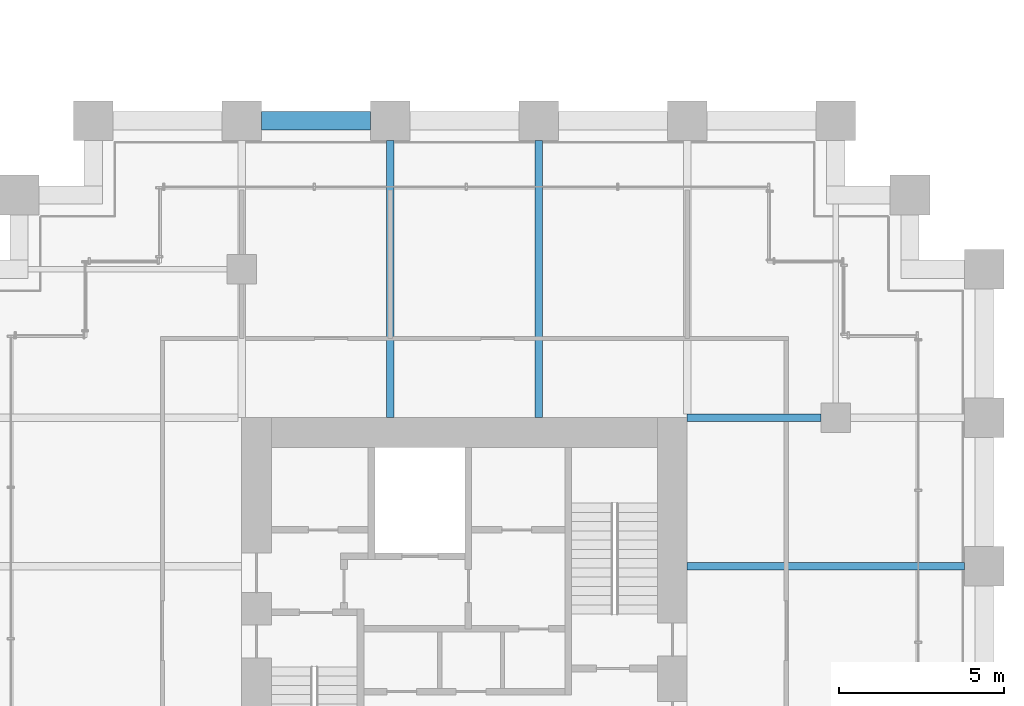
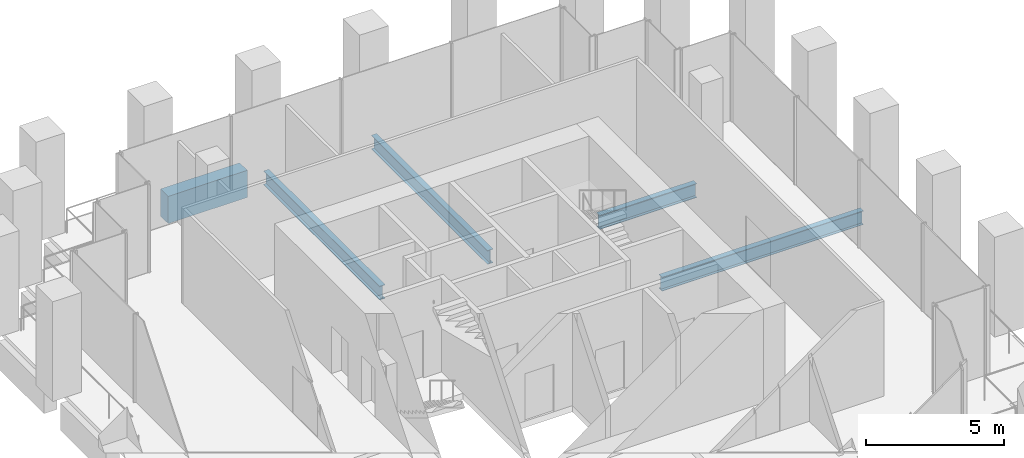
# One storey, part 24 of 36: 5 beams.
"""IFC4 building model written with IfcOpenShell, lengths in metres."""

from ifc_helpers import new_model, si_unit, direction, frame, origin, origin_2d, place, context, subcontext, project, spatial, rectangle, i_section, extrude, material, material_profile, profile_set, type_object, element, save


model = new_model("IFC4")

# Units and contexts
model_context = context("Model", 3, precision=1e-05, world=origin(), true_north=direction((0.0, 1.0)))
body_context = subcontext(model_context, "Body", "Model", "MODEL_VIEW")
ifc_project = project(units=[si_unit("LENGTHUNIT", "METRE"), si_unit("AREAUNIT", "SQUARE_METRE"), si_unit("VOLUMEUNIT", "CUBIC_METRE"), si_unit("PLANEANGLEUNIT", "RADIAN"), si_unit("MASSUNIT", "GRAM", prefix="KILO")], contexts=[model_context])

# Site, building, storey
site_placement = place(None, origin())
site = spatial("IfcSite", under=ifc_project, at=site_placement, CompositionType="ELEMENT")
building_placement = place(site_placement, origin())
building = spatial("IfcBuilding", under=site, at=building_placement, Name="Altepetl Exchange Towers", CompositionType="ELEMENT")
storey_placement = place(building_placement, frame((0.0, 0.0, 25.39990234375)))
storey = spatial("IfcBuildingStorey", under=building, at=storey_placement, Name="L05", CompositionType="ELEMENT", Elevation=25.39990234375)

# Beams
ifc_material_1 = material(Name="Steel S355", Category="steel")
ifc_material_profile_1 = material_profile(ifc_material_1, i_section(OverallWidth=0.22900390625, OverallDepth=0.612060546875, WebThickness=0.011962890625, FlangeThickness=0.01953125, at=origin_2d()), Name="W24X84")
ifc_profile_set_1 = profile_set([ifc_material_profile_1], Name="Steel S355")
beam_type_1 = type_object("IfcBeamType", Name="Floor beam W24X84", PredefinedType="BEAM", material=ifc_profile_set_1)
for number, where, z_axis, x_axis, name in (
    (1, (108.0, 49.5, -0.48095703125), (0.0, 1.0, 0.0), (-1.0, 0.0, 0.0), "bm:B:L05:000"),
    (2, (112.5, 49.5, -0.48095703125), (0.0, 1.0, 0.0), (-1.0, 0.0, 0.0), "bm:B:L05:001"),
    (3, (117.0, 45.0, -0.48095703125), (1.0, 0.0, 0.0), (0.0, 1.0, 0.0), "bm:B:L05:007"),
):
    element("IfcBeam", number, at=place(storey_placement, frame(where, z_axis=z_axis, x_axis=x_axis)), inside=storey, type_object=beam_type_1, Name=name, PredefinedType="BEAM", context=body_context, shape_type="SweptSolid", body=[
        extrude(i_section(OverallWidth=0.22900390625, OverallDepth=0.612060546875, WebThickness=0.011962890625, FlangeThickness=0.01953125, at=origin_2d()), origin(), (0.0, 0.0, 1.0), 8.39990234375),
    ])
ifc_material_profile_2 = material_profile(ifc_material_1, i_section(OverallWidth=0.22900390625, OverallDepth=0.623046875, WebThickness=0.013916015625, FlangeThickness=0.02490234375, at=origin_2d()), Name="W24X103")
ifc_profile_set_2 = profile_set([ifc_material_profile_2], Name="Steel S355")
beam_type_2 = type_object("IfcBeamType", Name="Girder W24X103", PredefinedType="BEAM", material=ifc_profile_set_2)
beam_1_placement = place(storey_placement, frame((117.0, 49.5, -0.486328125), z_axis=(1.0, 0.0, 0.0), x_axis=(0.0, 1.0, 0.0)))
element("IfcBeam", 4, at=beam_1_placement, inside=storey, type_object=beam_type_2, Name="gd:B:L05:000", PredefinedType="BEAM", context=body_context, shape_type="SweptSolid", body=[
    extrude(i_section(OverallWidth=0.22900390625, OverallDepth=0.623046875, WebThickness=0.013916015625, FlangeThickness=0.02490234375, at=origin_2d()), origin(), (0.0, 0.0, 1.0), 4.050048828125),
])
ifc_material_2 = material(Name="Concrete C50/60 precast with cantera amarilla facing", Category="concrete")
ifc_material_profile_3 = material_profile(ifc_material_2, rectangle(XDim=0.550048828125, YDim=1.199951171875, at=origin_2d()), Name="550 x 1200")
ifc_profile_set_3 = profile_set([ifc_material_profile_3], Name="Concrete C50/60 precast with cantera amarilla facing")
beam_type_3 = type_object("IfcBeamType", Name="Spandrel beam 550x1200 cantera amarilla", PredefinedType="SPANDREL", material=ifc_profile_set_3)
beam_2_placement = place(storey_placement, frame((107.39990234375, 58.5, -0.77490234375), z_axis=(-1.0, 0.0, 0.0), x_axis=(0.0, -1.0, 0.0)))
element("IfcBeam", 5, at=beam_2_placement, inside=storey, type_object=beam_type_3, Name="sp:B:L05:021", PredefinedType="SPANDREL", context=body_context, shape_type="SweptSolid", body=[
    extrude(rectangle(XDim=0.550048828125, YDim=1.199951171875, at=origin_2d()), origin(), (0.0, 0.0, 1.0), 3.2998046875),
])

save(model, "model.ifc")
